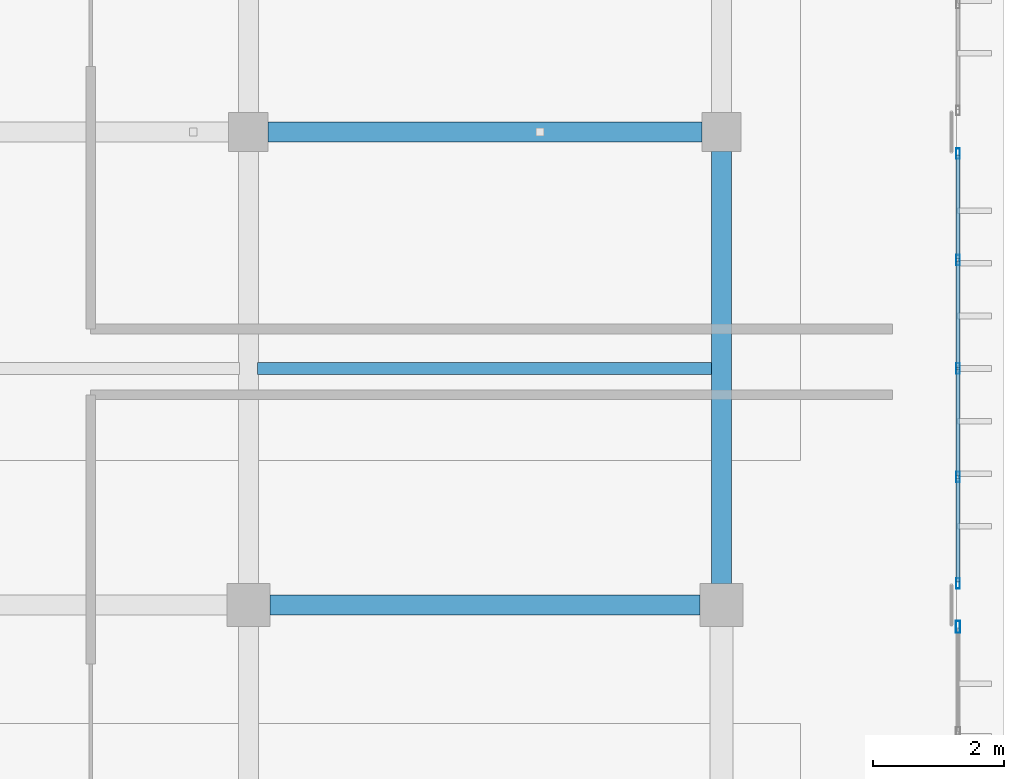
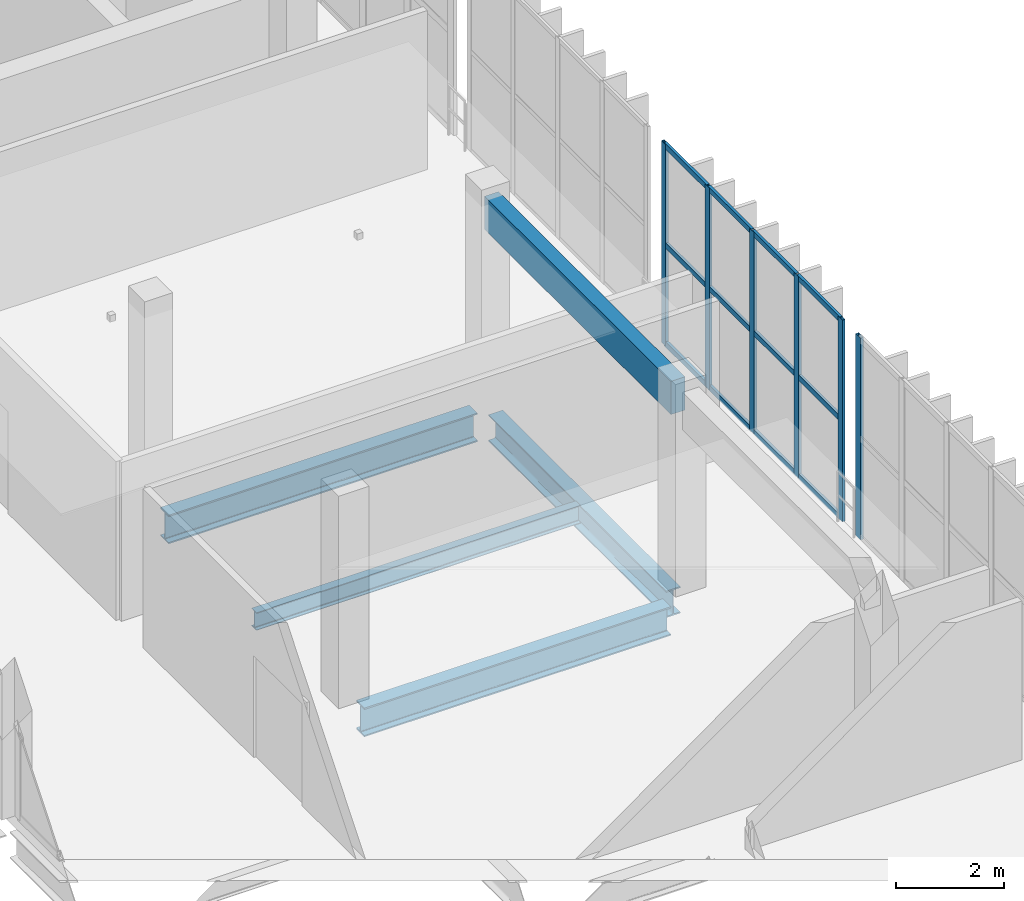
# One storey, part 63 of 105: 18 members, 5 beams, 2 elements without a shape of their own.
"""IFC4 building model written with IfcOpenShell, lengths in metres."""

from ifc_helpers import new_model, si_unit, direction, frame, origin, origin_2d, place, context, subcontext, project, spatial, rectangle, hollow_rectangle, i_section, extrude, material, material_profile, profile_set, type_object, element, aggregate, save


model = new_model("IFC4")

# Units and contexts
model_context = context("Model", 3, precision=1e-05, world=origin(), true_north=direction((0.0, 1.0)))
body_context = subcontext(model_context, "Body", "Model", "MODEL_VIEW")
ifc_project = project(units=[si_unit("LENGTHUNIT", "METRE"), si_unit("AREAUNIT", "SQUARE_METRE"), si_unit("VOLUMEUNIT", "CUBIC_METRE"), si_unit("PLANEANGLEUNIT", "RADIAN"), si_unit("MASSUNIT", "GRAM", prefix="KILO")], contexts=[model_context])

# Site, building, storey
site_placement = place(None, origin())
site = spatial("IfcSite", under=ifc_project, at=site_placement, CompositionType="ELEMENT")
building_placement = place(site_placement, origin())
building = spatial("IfcBuilding", under=site, at=building_placement, Name="Qandorah Velis Arena", CompositionType="ELEMENT")
storey_placement = place(building_placement, frame((0.0, 0.0, 13.800048828125)))
storey = spatial("IfcBuildingStorey", under=building, at=storey_placement, Name="L03", CompositionType="ELEMENT", Elevation=13.800048828125)

# Curtain wall, members
ifc_material_1 = material(Name="Solar-control low-E double glazing", Category="glass")
curtain_wall_type_1 = type_object("IfcCurtainWallType", Name="ARC-CW-SYS11", PredefinedType="USERDEFINED", material=ifc_material_1)
curtain_wall_1_placement = place(storey_placement, origin())
curtain_wall_1 = element("IfcCurtainWall", 1, at=curtain_wall_1_placement, inside=storey, type_object=curtain_wall_type_1, Name="Unitised curtain wall L03-155", ObjectType="UNITISED CURTAIN WALL", PredefinedType="USERDEFINED")
ifc_material_2 = material(Name="Champagne-bronze anodized aluminium 6063-T6", Category="aluminium")
ifc_material_profile_1 = material_profile(ifc_material_2, hollow_rectangle(XDim=0.06005859375, YDim=0.159912109375, WallThickness=0.00341796875, at=origin_2d()), Name="ALU MULLION 60x160")
ifc_profile_set_1 = profile_set([ifc_material_profile_1], Name="Champagne-bronze anodized aluminium 6063-T6")
member_type_1 = type_object("IfcMemberType", Name="ARC-CWM-160", PredefinedType="MULLION", material=ifc_profile_set_1)
member_1_placement = place(storey_placement, frame((169.199951171875, 65.1298828125, -0.01513671875), z_axis=(0.0, 0.0, 1.0), x_axis=(-1.0, 0.0, 0.0)))
member_1 = element("IfcMember", 2, at=member_1_placement, type_object=member_type_1, Name="CW11 mullion 1", PredefinedType="MULLION", context=body_context, shape_type="SweptSolid", body=[
    extrude(hollow_rectangle(XDim=0.06005859375, YDim=0.159912109375, WallThickness=0.00341796875, at=origin_2d()), origin(), (0.0, 0.0, 1.0), 4.56005859375),
])
member_2_placement = place(storey_placement, frame((169.199951171875, 66.75, -0.01513671875), z_axis=(0.0, 0.0, 1.0), x_axis=(-1.0, 0.0, 0.0)))
member_2 = element("IfcMember", 3, at=member_2_placement, type_object=member_type_1, Name="CW11 mullion 2", PredefinedType="MULLION", context=body_context, shape_type="SweptSolid", body=[
    extrude(hollow_rectangle(XDim=0.06005859375, YDim=0.159912109375, WallThickness=0.00341796875, at=origin_2d()), origin(), (0.0, 0.0, 1.0), 4.56005859375),
])
member_3_placement = place(storey_placement, frame((169.199951171875, 68.39990234375, -0.01513671875), z_axis=(0.0, 0.0, 1.0), x_axis=(-1.0, 0.0, 0.0)))
member_3 = element("IfcMember", 4, at=member_3_placement, type_object=member_type_1, Name="CW11 mullion 3", PredefinedType="MULLION", context=body_context, shape_type="SweptSolid", body=[
    extrude(hollow_rectangle(XDim=0.06005859375, YDim=0.159912109375, WallThickness=0.00341796875, at=origin_2d()), origin(), (0.0, 0.0, 1.0), 4.56005859375),
])
member_4_placement = place(storey_placement, frame((169.199951171875, 70.050048828125, -0.01513671875), z_axis=(0.0, 0.0, 1.0), x_axis=(-1.0, 0.0, 0.0)))
member_4 = element("IfcMember", 5, at=member_4_placement, type_object=member_type_1, Name="CW11 mullion 4", PredefinedType="MULLION", context=body_context, shape_type="SweptSolid", body=[
    extrude(hollow_rectangle(XDim=0.06005859375, YDim=0.159912109375, WallThickness=0.00341796875, at=origin_2d()), origin(), (0.0, 0.0, 1.0), 4.56005859375),
])
member_5_placement = place(storey_placement, frame((169.199951171875, 71.669921875, -0.01513671875), z_axis=(0.0, 0.0, 1.0), x_axis=(-1.0, 0.0, 0.0)))
member_5 = element("IfcMember", 6, at=member_5_placement, type_object=member_type_1, Name="CW11 mullion 5", PredefinedType="MULLION", context=body_context, shape_type="SweptSolid", body=[
    extrude(hollow_rectangle(XDim=0.06005859375, YDim=0.159912109375, WallThickness=0.00341796875, at=origin_2d()), origin(), (0.0, 0.0, 1.0), 4.56005859375),
])

# Curtain wall, member
curtain_wall_type_2 = type_object("IfcCurtainWallType", Name="ARC-CW-SYS10", PredefinedType="USERDEFINED", material=ifc_material_1)
curtain_wall_2_placement = place(storey_placement, origin())
curtain_wall_2 = element("IfcCurtainWall", 7, at=curtain_wall_2_placement, inside=storey, type_object=curtain_wall_type_2, Name="Unitised curtain wall L03-154", ObjectType="UNITISED CURTAIN WALL", PredefinedType="USERDEFINED")
ifc_material_profile_2 = material_profile(ifc_material_2, hollow_rectangle(XDim=0.06494140625, YDim=0.179931640625, WallThickness=0.00341796875, at=origin_2d()), Name="ALU MULLION 65x180")
ifc_profile_set_2 = profile_set([ifc_material_profile_2], Name="Champagne-bronze anodized aluminium 6063-T6")
member_type_2 = type_object("IfcMemberType", Name="ARC-CWM-180", PredefinedType="MULLION", material=ifc_profile_set_2)
member_6_placement = place(storey_placement, frame((169.199951171875, 64.467529296875, -0.01513671875), z_axis=(0.0, 0.0, 1.0), x_axis=(-1.0, 0.0, 0.0)))
member_6 = element("IfcMember", 8, at=member_6_placement, type_object=member_type_2, Name="CW10 mullion 5", PredefinedType="MULLION", context=body_context, shape_type="SweptSolid", body=[
    extrude(hollow_rectangle(XDim=0.06494140625, YDim=0.179931640625, WallThickness=0.00341796875, at=origin_2d()), origin(), (0.0, 0.0, 1.0), 4.56005859375),
])
aggregate(curtain_wall_2, [member_6])

# Member
ifc_material_profile_3 = material_profile(ifc_material_2, hollow_rectangle(XDim=0.06005859375, YDim=0.1201171875, WallThickness=0.0029296875, at=origin_2d()), Name="ALU TRANSOM 60x120")
ifc_profile_set_3 = profile_set([ifc_material_profile_3], Name="Champagne-bronze anodized aluminium 6063-T6")
member_type_3 = type_object("IfcMemberType", Name="ARC-CWT-120", PredefinedType="USERDEFINED", material=ifc_profile_set_3)
member_7_placement = place(storey_placement, frame((169.199951171875, 65.14794921875, 0.030029296875), z_axis=(0.0, 1.0, 0.0), x_axis=(-1.0, 0.0, 0.0)))
member_7 = element("IfcMember", 9, at=member_7_placement, type_object=member_type_3, Name="CW11 transom 1.1", ObjectType="TRANSOM", PredefinedType="USERDEFINED", context=body_context, shape_type="SweptSolid", body=[
    extrude(hollow_rectangle(XDim=0.06005859375, YDim=0.1201171875, WallThickness=0.0029296875, at=origin_2d()), origin(), (0.0, 0.0, 1.0), 1.583984375),
])

member_8_placement = place(storey_placement, frame((169.199951171875, 65.14794921875, 2.264892578125), z_axis=(0.0, 1.0, 0.0), x_axis=(-1.0, 0.0, 0.0)))
member_8 = element("IfcMember", 10, at=member_8_placement, type_object=member_type_3, Name="CW11 transom 1.2", ObjectType="TRANSOM", PredefinedType="USERDEFINED", context=body_context, shape_type="SweptSolid", body=[
    extrude(hollow_rectangle(XDim=0.06005859375, YDim=0.1201171875, WallThickness=0.0029296875, at=origin_2d()), origin(), (0.0, 0.0, 1.0), 1.583984375),
])

member_9_placement = place(storey_placement, frame((169.199951171875, 65.14794921875, 4.5), z_axis=(0.0, 1.0, 0.0), x_axis=(-1.0, 0.0, 0.0)))
member_9 = element("IfcMember", 11, at=member_9_placement, type_object=member_type_3, Name="CW11 transom 1.3", ObjectType="TRANSOM", PredefinedType="USERDEFINED", context=body_context, shape_type="SweptSolid", body=[
    extrude(hollow_rectangle(XDim=0.06005859375, YDim=0.1201171875, WallThickness=0.0029296875, at=origin_2d()), origin(), (0.0, 0.0, 1.0), 1.583984375),
])

member_10_placement = place(storey_placement, frame((169.199951171875, 66.76806640625, 0.030029296875), z_axis=(0.0, 1.0, 0.0), x_axis=(-1.0, 0.0, 0.0)))
member_10 = element("IfcMember", 12, at=member_10_placement, type_object=member_type_3, Name="CW11 transom 2.1", ObjectType="TRANSOM", PredefinedType="USERDEFINED", context=body_context, shape_type="SweptSolid", body=[
    extrude(hollow_rectangle(XDim=0.06005859375, YDim=0.1201171875, WallThickness=0.0029296875, at=origin_2d()), origin(), (0.0, 0.0, 1.0), 1.614013671875),
])

member_11_placement = place(storey_placement, frame((169.199951171875, 66.76806640625, 2.264892578125), z_axis=(0.0, 1.0, 0.0), x_axis=(-1.0, 0.0, 0.0)))
member_11 = element("IfcMember", 13, at=member_11_placement, type_object=member_type_3, Name="CW11 transom 2.2", ObjectType="TRANSOM", PredefinedType="USERDEFINED", context=body_context, shape_type="SweptSolid", body=[
    extrude(hollow_rectangle(XDim=0.06005859375, YDim=0.1201171875, WallThickness=0.0029296875, at=origin_2d()), origin(), (0.0, 0.0, 1.0), 1.614013671875),
])

member_12_placement = place(storey_placement, frame((169.199951171875, 66.76806640625, 4.5), z_axis=(0.0, 1.0, 0.0), x_axis=(-1.0, 0.0, 0.0)))
member_12 = element("IfcMember", 14, at=member_12_placement, type_object=member_type_3, Name="CW11 transom 2.3", ObjectType="TRANSOM", PredefinedType="USERDEFINED", context=body_context, shape_type="SweptSolid", body=[
    extrude(hollow_rectangle(XDim=0.06005859375, YDim=0.1201171875, WallThickness=0.0029296875, at=origin_2d()), origin(), (0.0, 0.0, 1.0), 1.614013671875),
])

member_13_placement = place(storey_placement, frame((169.199951171875, 68.41796875, 0.030029296875), z_axis=(0.0, 1.0, 0.0), x_axis=(-1.0, 0.0, 0.0)))
member_13 = element("IfcMember", 15, at=member_13_placement, type_object=member_type_3, Name="CW11 transom 3.1", ObjectType="TRANSOM", PredefinedType="USERDEFINED", context=body_context, shape_type="SweptSolid", body=[
    extrude(hollow_rectangle(XDim=0.06005859375, YDim=0.1201171875, WallThickness=0.0029296875, at=origin_2d()), origin(), (0.0, 0.0, 1.0), 1.614013671875),
])

member_14_placement = place(storey_placement, frame((169.199951171875, 68.41796875, 2.264892578125), z_axis=(0.0, 1.0, 0.0), x_axis=(-1.0, 0.0, 0.0)))
member_14 = element("IfcMember", 16, at=member_14_placement, type_object=member_type_3, Name="CW11 transom 3.2", ObjectType="TRANSOM", PredefinedType="USERDEFINED", context=body_context, shape_type="SweptSolid", body=[
    extrude(hollow_rectangle(XDim=0.06005859375, YDim=0.1201171875, WallThickness=0.0029296875, at=origin_2d()), origin(), (0.0, 0.0, 1.0), 1.614013671875),
])

member_15_placement = place(storey_placement, frame((169.199951171875, 68.41796875, 4.5), z_axis=(0.0, 1.0, 0.0), x_axis=(-1.0, 0.0, 0.0)))
member_15 = element("IfcMember", 17, at=member_15_placement, type_object=member_type_3, Name="CW11 transom 3.3", ObjectType="TRANSOM", PredefinedType="USERDEFINED", context=body_context, shape_type="SweptSolid", body=[
    extrude(hollow_rectangle(XDim=0.06005859375, YDim=0.1201171875, WallThickness=0.0029296875, at=origin_2d()), origin(), (0.0, 0.0, 1.0), 1.614013671875),
])

member_16_placement = place(storey_placement, frame((169.199951171875, 70.068115234375, 0.030029296875), z_axis=(0.0, 1.0, 0.0), x_axis=(-1.0, 0.0, 0.0)))
member_16 = element("IfcMember", 18, at=member_16_placement, type_object=member_type_3, Name="CW11 transom 4.1", ObjectType="TRANSOM", PredefinedType="USERDEFINED", context=body_context, shape_type="SweptSolid", body=[
    extrude(hollow_rectangle(XDim=0.06005859375, YDim=0.1201171875, WallThickness=0.0029296875, at=origin_2d()), origin(), (0.0, 0.0, 1.0), 1.583984375),
])

member_17_placement = place(storey_placement, frame((169.199951171875, 70.068115234375, 2.264892578125), z_axis=(0.0, 1.0, 0.0), x_axis=(-1.0, 0.0, 0.0)))
member_17 = element("IfcMember", 19, at=member_17_placement, type_object=member_type_3, Name="CW11 transom 4.2", ObjectType="TRANSOM", PredefinedType="USERDEFINED", context=body_context, shape_type="SweptSolid", body=[
    extrude(hollow_rectangle(XDim=0.06005859375, YDim=0.1201171875, WallThickness=0.0029296875, at=origin_2d()), origin(), (0.0, 0.0, 1.0), 1.583984375),
])

member_18_placement = place(storey_placement, frame((169.199951171875, 70.068115234375, 4.5), z_axis=(0.0, 1.0, 0.0), x_axis=(-1.0, 0.0, 0.0)))
member_18 = element("IfcMember", 20, at=member_18_placement, type_object=member_type_3, Name="CW11 transom 4.3", ObjectType="TRANSOM", PredefinedType="USERDEFINED", context=body_context, shape_type="SweptSolid", body=[
    extrude(hollow_rectangle(XDim=0.06005859375, YDim=0.1201171875, WallThickness=0.0029296875, at=origin_2d()), origin(), (0.0, 0.0, 1.0), 1.583984375),
])

aggregate(curtain_wall_1, [member_1, member_2, member_3, member_4, member_5, member_7, member_8, member_9, member_10, member_11, member_12, member_13, member_14, member_15, member_16, member_17, member_18])

# Beams
ifc_material_3 = material(Name="Steel S355", Category="steel")
ifc_material_profile_4 = material_profile(ifc_material_3, i_section(OverallWidth=0.300048828125, OverallDepth=0.60009765625, WebThickness=0.015380859375, FlangeThickness=0.030029296875, FilletRadius=0.027099609375, at=origin_2d()), Name="HEB 600")
ifc_profile_set_4 = profile_set([ifc_material_profile_4], Name="Steel S355")
beam_type_1 = type_object("IfcBeamType", Name="STR-BM-HEB600", PredefinedType="BEAM", material=ifc_profile_set_4)
beam_1_placement = place(storey_placement, frame((165.60009765625, 65.125, -0.6201171875), z_axis=(0.0, 1.0, 0.0), x_axis=(-1.0, 0.0, 0.0)))
element("IfcBeam", 21, at=beam_1_placement, inside=storey, type_object=beam_type_1, Name="Primary floor girder L03 Y-336", PredefinedType="BEAM", context=body_context, shape_type="SweptSolid", body=[
    extrude(i_section(OverallWidth=0.300048828125, OverallDepth=0.60009765625, WebThickness=0.015380859375, FlangeThickness=0.030029296875, FilletRadius=0.027099609375, at=origin_2d()), origin(), (0.0, 0.0, 1.0), 6.574951171875),
])
ifc_material_profile_5 = material_profile(ifc_material_3, i_section(OverallWidth=0.300048828125, OverallDepth=0.64990234375, WebThickness=0.01611328125, FlangeThickness=0.031005859375, FilletRadius=0.027099609375, at=origin_2d()), Name="HEB 650")
ifc_profile_set_5 = profile_set([ifc_material_profile_5], Name="Steel S355")
beam_type_2 = type_object("IfcBeamType", Name="STR-BM-HEB650", PredefinedType="BEAM", material=ifc_profile_set_5)
beam_2_placement = place(storey_placement, frame((158.72509765625, 64.800048828125, -0.64501953125), z_axis=(1.0, 0.0, 0.0), x_axis=(0.0, 1.0, 0.0)))
element("IfcBeam", 22, at=beam_2_placement, inside=storey, type_object=beam_type_2, Name="Primary floor girder L03 X-094", PredefinedType="BEAM", context=body_context, shape_type="SweptSolid", body=[
    extrude(i_section(OverallWidth=0.300048828125, OverallDepth=0.64990234375, WebThickness=0.01611328125, FlangeThickness=0.031005859375, FilletRadius=0.027099609375, at=origin_2d()), origin(), (0.0, 0.0, 1.0), 6.5498046875),
])
beam_3_placement = place(storey_placement, frame((158.699951171875, 72.0, -0.64501953125), z_axis=(1.0, 0.0, 0.0), x_axis=(0.0, 1.0, 0.0)))
element("IfcBeam", 23, at=beam_3_placement, inside=storey, type_object=beam_type_2, Name="Primary floor girder L03 X-099", PredefinedType="BEAM", context=body_context, shape_type="SweptSolid", body=[
    extrude(i_section(OverallWidth=0.300048828125, OverallDepth=0.64990234375, WebThickness=0.01611328125, FlangeThickness=0.031005859375, FilletRadius=0.027099609375, at=origin_2d()), origin(), (0.0, 0.0, 1.0), 6.60009765625),
])
ifc_material_profile_6 = material_profile(ifc_material_3, i_section(OverallWidth=0.179931640625, OverallDepth=0.39990234375, WebThickness=0.008544921875, FlangeThickness=0.013427734375, FilletRadius=0.02099609375, at=origin_2d()), Name="IPE 400")
ifc_profile_set_6 = profile_set([ifc_material_profile_6], Name="Steel S355")
beam_type_3 = type_object("IfcBeamType", Name="STR-JST-IPE400", PredefinedType="JOIST", material=ifc_profile_set_6)
beam_4_placement = place(storey_placement, frame((158.534912109375, 68.39990234375, -0.52001953125), z_axis=(1.0, 0.0, 0.0), x_axis=(0.0, 1.0, 0.0)))
element("IfcBeam", 24, at=beam_4_placement, inside=storey, type_object=beam_type_3, Name="Secondary floor joist L03-102", PredefinedType="JOIST", context=body_context, shape_type="SweptSolid", body=[
    extrude(i_section(OverallWidth=0.179931640625, OverallDepth=0.39990234375, WebThickness=0.008544921875, FlangeThickness=0.013427734375, FilletRadius=0.02099609375, at=origin_2d()), origin(), (0.0, 0.0, 1.0), 6.93017578125),
])
ifc_material_4 = material(Name="Concrete C40/50", Category="concrete")
ifc_material_profile_7 = material_profile(ifc_material_4, rectangle(XDim=0.300048828125, YDim=0.75, at=origin_2d()), Name="RC SPANDREL 300x750")
ifc_profile_set_7 = profile_set([ifc_material_profile_7], Name="Concrete C40/50")
beam_type_4 = type_object("IfcBeamType", Name="STR-SPN-300X750", PredefinedType="SPANDREL", material=ifc_profile_set_7)
beam_5_placement = place(storey_placement, frame((165.60009765625, 64.949951171875, 4.14990234375), z_axis=(0.0, 1.0, 0.0), x_axis=(-1.0, 0.0, 0.0)))
element("IfcBeam", 25, at=beam_5_placement, inside=storey, type_object=beam_type_4, Name="Oasis wing spandrel beam SPB-06", PredefinedType="SPANDREL", context=body_context, shape_type="SweptSolid", body=[
    extrude(rectangle(XDim=0.300048828125, YDim=0.75, at=origin_2d()), origin(), (0.0, 0.0, 1.0), 6.900146484375),
])

save(model, "model.ifc")
